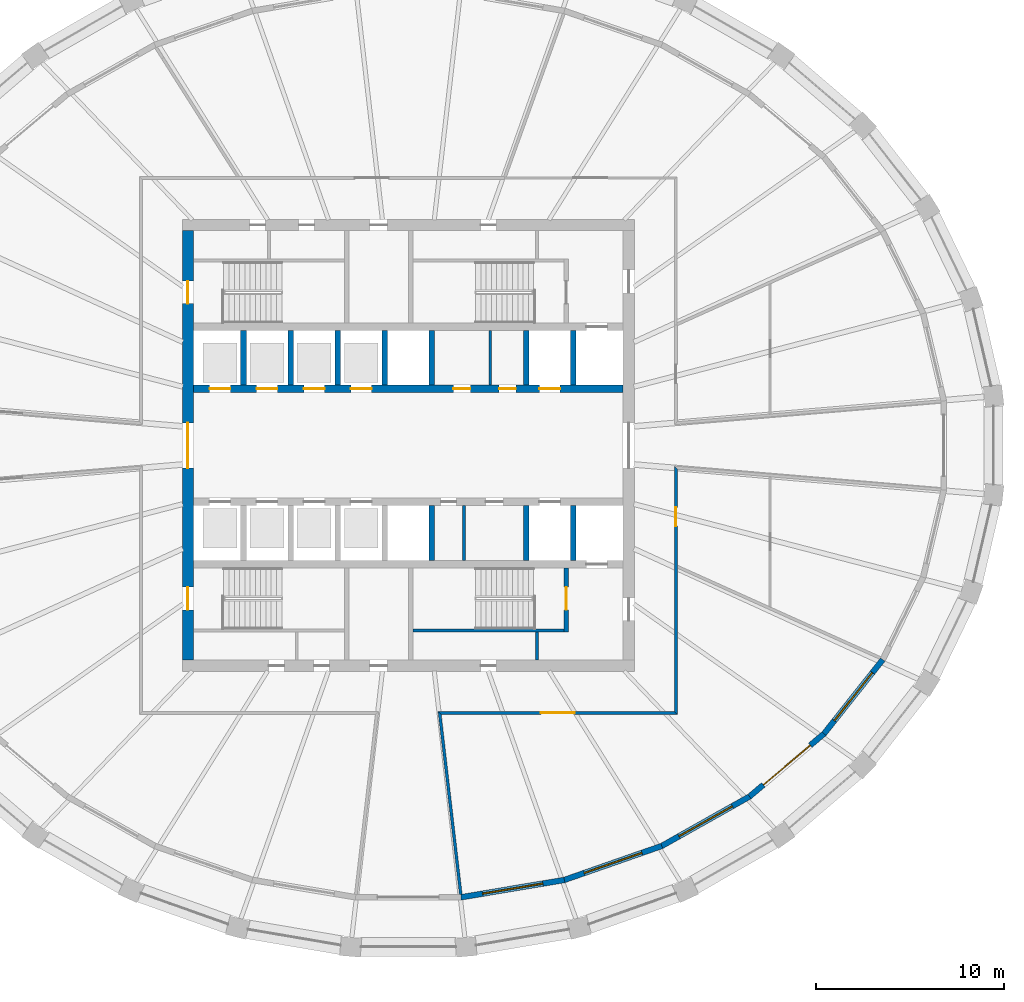
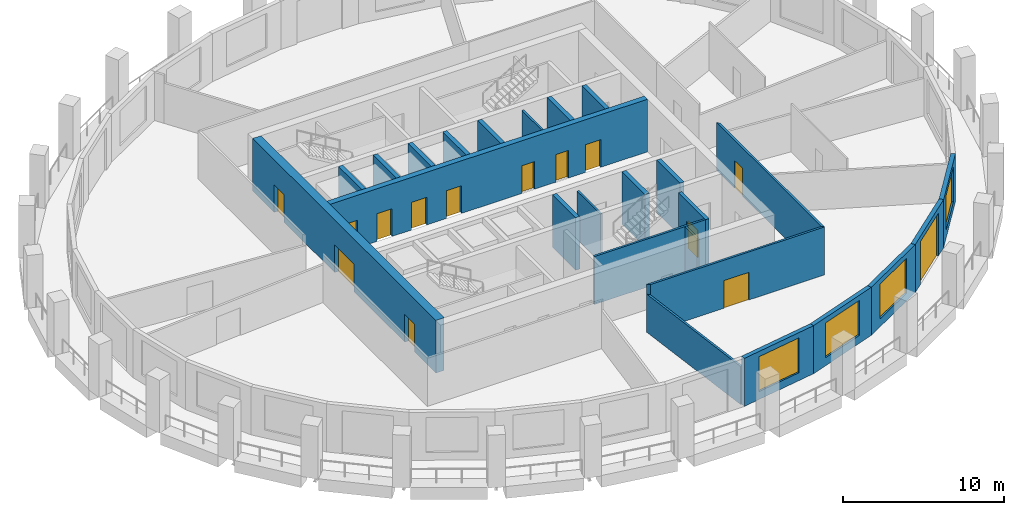
# One storey, part 4 of 10: 25 walls, 14 doors, 4 windows, 18 openings.
"""IFC4 building model written with IfcOpenShell, lengths in metres."""

from ifc_helpers import new_model, si_unit, direction, frame, frame_2d, origin, place, context, subcontext, project, spatial, polyline, rectangle, outline, extrude, material, layer, layer_set, type_object, element, fill, save


model = new_model("IFC4")

# Units and contexts
model_context = context("Model", 3, precision=1e-05, world=origin(), true_north=direction((0.0, 1.0)))
body_context = subcontext(model_context, "Body", "Model", "MODEL_VIEW")
ifc_project = project(units=[si_unit("LENGTHUNIT", "METRE"), si_unit("AREAUNIT", "SQUARE_METRE"), si_unit("VOLUMEUNIT", "CUBIC_METRE"), si_unit("PLANEANGLEUNIT", "RADIAN"), si_unit("MASSUNIT", "GRAM", prefix="KILO")], contexts=[model_context])

# Site, building, storey
site_placement = place(None, origin())
site = spatial("IfcSite", under=ifc_project, at=site_placement, CompositionType="ELEMENT")
building_placement = place(site_placement, origin())
building = spatial("IfcBuilding", under=site, at=building_placement, Name="Halqa Exchange Tower", CompositionType="ELEMENT")
storey_placement = place(building_placement, frame((0.0, 0.0, 246.89990234375)))
storey = spatial("IfcBuildingStorey", under=building, at=storey_placement, Name="L57", CompositionType="ELEMENT", Elevation=246.89990234375)

# Wall
ifc_material_1 = material(Name="Fire-rated gypsum board")
ifc_layer_1 = layer(ifc_material_1, 0.14990234375)
ifc_layer_set_1 = layer_set([ifc_layer_1], Name="Fire-rated gypsum board")
wall_type_1 = type_object("IfcWallType", Name="Fire partition EI 60 150", PredefinedType="PARTITIONING", material=ifc_layer_set_1)
wall_1_placement = place(storey_placement, frame((1.650146484375, -14.1162109375, 0.0), z_axis=(0.0, 0.0, 1.0), x_axis=(0.115927481877, -0.993257680034, 0.0)))
element("IfcWall", 1, at=wall_1_placement, inside=storey, type_object=wall_type_1, Name="L57-PWL-009", PredefinedType="PARTITIONING", context=body_context, shape_type="SweptSolid", body=[
    extrude(outline(polyline([(0.0, -0.074951171875), (1.95556640625, -0.074951171875), (3.9111328125, -0.074951171875), (5.86669921875, -0.074951171875), (7.822021484375, -0.074951171875), (9.777587890625, -0.074951171875), (9.7822265625, -0.035400390625), (9.7822265625, 0.074951171875), (7.859375, 0.074951171875), (5.936767578125, 0.074951171875), (4.013916015625, 0.074951171875), (2.09130859375, 0.074951171875), (0.16845703125, 0.074951171875), (0.08447265625, 0.0), (0.0, -0.074951171875)])), origin(), (0.0, 0.0, 1.0), 2.897216796875),
])

# Wall, opening, door
wall_2_placement = place(storey_placement, frame((14.27490234375, -14.199951171875, 0.0), z_axis=(0.0, 0.0, 1.0), x_axis=(-1.0, 0.0, 0.0)))
wall_2 = element("IfcWall", 2, at=wall_2_placement, inside=storey, type_object=wall_type_1, Name="L57-PWL-012", PredefinedType="PARTITIONING", context=body_context, shape_type="SweptSolid", body=[
    extrude(outline(polyline([(0.14990234375, -0.074951171875), (1.942626953125, -0.074951171875), (3.7353515625, -0.074951171875), (5.528076171875, -0.074951171875), (7.32080078125, -0.074951171875), (9.11376953125, -0.074951171875), (10.906494140625, -0.074951171875), (12.69921875, -0.074951171875), (12.53076171875, 0.074951171875), (10.74072265625, 0.074951171875), (8.950439453125, 0.074951171875), (7.160400390625, 0.074951171875), (5.370361328125, 0.074951171875), (3.580322265625, 0.074951171875), (1.7900390625, 0.074951171875), (0.0, 0.074951171875), (0.14990234375, -0.074951171875)])), origin(), (0.0, 0.0, 1.0), 3.650146484375),
])
opening_1_placement = place(wall_2_placement, frame((5.445068359375, 0.0, 0.0)))
opening_1 = element("IfcOpeningElement", 3, at=opening_1_placement, cuts=wall_2, Name="Opening 17-02", PredefinedType="OPENING", context=body_context, shape_type="SweptSolid", body=[
    extrude(rectangle(XDim=1.800048828125, YDim=2.10009765625, at=frame_2d((0.89990234375, 1.050048828125))), frame((0.0, 0.0869140625, 0.0), z_axis=(0.0, -1.0, 0.0), x_axis=(1.0, 0.0, 0.0)), (0.0, 0.0, 1.0), 0.173828125),
])
ifc_material_2 = material(Name="Steel fire door leaf", Category="steel")
door_type_1 = type_object("IfcDoorType", Name="Fire door FD30S double 1800 x 2100", OperationType="DOUBLE_DOOR_SINGLE_SWING", PredefinedType="DOOR", material=ifc_material_2)
door_1_placement = place(opening_1_placement, origin())
door_1 = element("IfcDoor", 4, at=door_1_placement, inside=storey, type_object=door_type_1, Name="L57-IDR-002", OperationType="DOUBLE_DOOR_SINGLE_SWING", OverallHeight=2.10009765625, OverallWidth=1.800048828125, PredefinedType="DOOR", context=body_context, shape_type="SweptSolid", body=[
    extrude(rectangle(XDim=1.800048828125, YDim=2.10009765625, at=frame_2d((0.89990234375, 1.050048828125))), frame((0.0, 0.02490234375, 0.0), z_axis=(0.0, -1.0, 0.0), x_axis=(1.0, 0.0, 0.0)), (0.0, 0.0, 1.0), 0.050048828125),
])
fill(opening_1, door_1)

wall_3_placement = place(storey_placement, frame((14.199951171875, -14.27490234375, 0.0), z_axis=(0.0, 0.0, 1.0), x_axis=(0.0, 1.0, 0.0)))
wall_3 = element("IfcWall", 5, at=wall_3_placement, inside=storey, type_object=wall_type_1, Name="L57-PWL-013", PredefinedType="PARTITIONING", context=body_context, shape_type="SweptSolid", body=[
    extrude(outline(polyline([(0.0, -0.074951171875), (1.859130859375, -0.074951171875), (3.71826171875, -0.074951171875), (5.5771484375, -0.074951171875), (7.436279296875, -0.074951171875), (9.29541015625, -0.074951171875), (11.154541015625, -0.074951171875), (13.013427734375, -0.074951171875), (13.17626953125, 0.074951171875), (11.3154296875, 0.074951171875), (9.45458984375, 0.074951171875), (7.593505859375, 0.074951171875), (5.732666015625, 0.074951171875), (3.871826171875, 0.074951171875), (2.0107421875, 0.074951171875), (0.14990234375, 0.074951171875), (0.0, -0.074951171875)])), origin(), (0.0, 0.0, 1.0), 3.650146484375),
])
opening_2_placement = place(wall_3_placement, frame((9.985107421875, 0.0, 0.0)))
opening_2 = element("IfcOpeningElement", 6, at=opening_2_placement, cuts=wall_3, Name="Opening 17-03", PredefinedType="OPENING", context=body_context, shape_type="SweptSolid", body=[
    extrude(rectangle(XDim=1.0, YDim=2.10009765625, at=frame_2d((0.5, 1.050048828125))), frame((0.0, 0.0869140625, 0.0), z_axis=(0.0, -1.0, 0.0), x_axis=(1.0, 0.0, 0.0)), (0.0, 0.0, 1.0), 0.173828125),
])
door_type_2 = type_object("IfcDoorType", Name="Fire door FD30S 1000 x 2100", OperationType="SINGLE_SWING_LEFT", PredefinedType="DOOR", material=ifc_material_2)
door_2_placement = place(opening_2_placement, frame((1.0, 0.0, 0.0), z_axis=(0.0, 0.0, 1.0), x_axis=(-1.0, 0.0, 0.0)))
door_2 = element("IfcDoor", 7, at=door_2_placement, inside=storey, type_object=door_type_2, Name="L57-IDR-003", OperationType="SINGLE_SWING_RIGHT", OverallHeight=2.10009765625, OverallWidth=1.0, PredefinedType="DOOR", context=body_context, shape_type="SweptSolid", body=[
    extrude(rectangle(XDim=1.0, YDim=2.10009765625, at=frame_2d((0.5, 1.050048828125))), frame((0.0, 0.02490234375, 0.0), z_axis=(0.0, -1.0, 0.0), x_axis=(1.0, 0.0, 0.0)), (0.0, 0.0, 1.0), 0.050048828125),
])
fill(opening_2, door_2)

# Walls
ifc_material_3 = material(Name="Gypsum board")
ifc_layer_2 = layer(ifc_material_3, 0.14990234375)
ifc_layer_set_2 = layer_set([ifc_layer_2], Name="Gypsum board")
wall_type_2 = type_object("IfcWallType", Name="Penthouse riser wall 150 gypsum", PredefinedType="PARTITIONING", material=ifc_layer_set_2)
wall_4_placement = place(storey_placement, frame((6.824951171875, -11.39990234375, 0.0), z_axis=(0.0, 0.0, 1.0), x_axis=(0.0, 1.0, 0.0)))
element("IfcWall", 8, at=wall_4_placement, inside=storey, type_object=wall_type_2, Name="Firefighting lobby west wall S", PredefinedType="PARTITIONING", context=body_context, shape_type="SweptSolid", body=[
    extrude(rectangle(XDim=1.5, YDim=0.14990234375, at=frame_2d((0.75, 0.0))), origin(), (0.0, 0.0, 1.0), 3.650146484375),
])
for number, where, z_axis, x_axis, name in (
    (9, (4.35009765625, 3.199951171875, 0.0), (0.0, 0.0, 1.0), (0.0, 1.0, 0.0), "Freed bay partition NE4.350"),
    (10, (2.949951171875, -6.10009765625, 0.0), (0.0, 0.0, 1.0), (0.0, 1.0, 0.0), "Freed bay partition SE2.950"),
):
    element("IfcWall", number, at=place(storey_placement, frame(where, z_axis=z_axis, x_axis=x_axis)), inside=storey, type_object=wall_type_2, Name=name, PredefinedType="PARTITIONING", context=body_context, shape_type="SweptSolid", body=[
        extrude(rectangle(XDim=2.900146484375, YDim=0.14990234375, at=frame_2d((1.4501953125, 0.0))), origin(), (0.0, 0.0, 1.0), 3.650146484375),
    ])
ifc_material_4 = material(Name="Concrete C60/75", Category="concrete")
ifc_layer_3 = layer(ifc_material_4, 0.300048828125)
ifc_layer_set_3 = layer_set([ifc_layer_3], Name="Concrete C60/75")
wall_type_3 = type_object("IfcWallType", Name="RC core wall 300", PredefinedType="SHEAR", material=ifc_layer_set_3)
for number, where, z_axis, x_axis, name in (
    (11, (-8.75, 3.199951171875, 0.0), (0.0, 0.0, 1.0), (0.0, 1.0, 0.0), "Shaft divider N1"),
    (12, (-6.25, 3.199951171875, 0.0), (0.0, 0.0, 1.0), (0.0, 1.0, 0.0), "Shaft divider N2"),
    (13, (-3.75, 3.199951171875, 0.0), (0.0, 0.0, 1.0), (0.0, 1.0, 0.0), "Shaft divider N3"),
    (14, (-1.25, 3.199951171875, 0.0), (0.0, 0.0, 1.0), (0.0, 1.0, 0.0), "Shaft divider N4"),
    (15, (1.25, 3.199951171875, 0.0), (0.0, 0.0, 1.0), (0.0, 1.0, 0.0), "Shaft divider N5"),
    (16, (6.25, 3.199951171875, 0.0), (0.0, 0.0, 1.0), (0.0, 1.0, 0.0), "Shaft divider N7"),
    (17, (8.75, 3.199951171875, 0.0), (0.0, 0.0, 1.0), (0.0, 1.0, 0.0), "Shaft divider N8"),
    (18, (1.25, -6.10009765625, 0.0), (0.0, 0.0, 1.0), (0.0, 1.0, 0.0), "Shaft divider S5"),
    (19, (6.25, -6.10009765625, 0.0), (0.0, 0.0, 1.0), (0.0, 1.0, 0.0), "Shaft divider S7"),
    (20, (8.75, -6.10009765625, 0.0), (0.0, 0.0, 1.0), (0.0, 1.0, 0.0), "Shaft divider S8"),
):
    element("IfcWall", number, at=place(storey_placement, frame(where, z_axis=z_axis, x_axis=x_axis)), inside=storey, type_object=wall_type_3, Name=name, PredefinedType="SHEAR", context=body_context, shape_type="SweptSolid", body=[
        extrude(rectangle(XDim=2.900146484375, YDim=0.300048828125, at=frame_2d((1.4501953125, 0.0))), origin(), (0.0, 0.0, 1.0), 4.0),
    ])

# Wall, openings, doors
ifc_material_5 = material(Name="Concrete C70/85", Category="concrete")
ifc_layer_4 = layer(ifc_material_5, 0.39990234375)
ifc_layer_set_4 = layer_set([ifc_layer_4], Name="Concrete C70/85")
wall_type_4 = type_object("IfcWallType", Name="RC core wall 400 C70/85", PredefinedType="SHEAR", material=ifc_layer_set_4)
wall_5_placement = place(storey_placement, frame((-11.39990234375, 3.0, 0.0), z_axis=(0.0, 0.0, 1.0), x_axis=(1.0, 0.0, 0.0)))
wall_5 = element("IfcWall", 21, at=wall_5_placement, inside=storey, type_object=wall_type_4, Name="Lift row front wall N", PredefinedType="SHEAR", context=body_context, shape_type="SweptSolid", body=[
    extrude(rectangle(XDim=22.7998046875, YDim=0.39990234375, at=frame_2d((11.39990234375, 0.0))), origin(), (0.0, 0.0, 1.0), 4.0),
])
opening_3_placement = place(wall_5_placement, frame((0.85009765625, 0.0, 0.0)))
opening_3 = element("IfcOpeningElement", 22, at=opening_3_placement, cuts=wall_5, Name="Opening LD-HR1-T17", PredefinedType="OPENING", context=body_context, shape_type="SweptSolid", body=[
    extrude(rectangle(XDim=1.10009765625, YDim=2.10009765625, at=frame_2d((0.550048828125, 1.050048828125))), frame((0.0, 0.2119140625, 0.0), z_axis=(0.0, -1.0, 0.0), x_axis=(1.0, 0.0, 0.0)), (0.0, 0.0, 1.0), 0.423828125),
])
opening_4_placement = place(wall_5_placement, frame((3.35009765625, 0.0, 0.0)))
opening_4 = element("IfcOpeningElement", 23, at=opening_4_placement, cuts=wall_5, Name="Opening LD-HR2-T17", PredefinedType="OPENING", context=body_context, shape_type="SweptSolid", body=[
    extrude(rectangle(XDim=1.10009765625, YDim=2.10009765625, at=frame_2d((0.550048828125, 1.050048828125))), frame((0.0, 0.2119140625, 0.0), z_axis=(0.0, -1.0, 0.0), x_axis=(1.0, 0.0, 0.0)), (0.0, 0.0, 1.0), 0.423828125),
])
opening_5_placement = place(wall_5_placement, frame((5.85009765625, 0.0, 0.0)))
opening_5 = element("IfcOpeningElement", 24, at=opening_5_placement, cuts=wall_5, Name="Opening LD-MR1-T17", PredefinedType="OPENING", context=body_context, shape_type="SweptSolid", body=[
    extrude(rectangle(XDim=1.10009765625, YDim=2.10009765625, at=frame_2d((0.550048828125, 1.050048828125))), frame((0.0, 0.2119140625, 0.0), z_axis=(0.0, -1.0, 0.0), x_axis=(1.0, 0.0, 0.0)), (0.0, 0.0, 1.0), 0.423828125),
])
opening_6_placement = place(wall_5_placement, frame((8.35009765625, 0.0, 0.0)))
opening_6 = element("IfcOpeningElement", 25, at=opening_6_placement, cuts=wall_5, Name="Opening LD-MR2-T17", PredefinedType="OPENING", context=body_context, shape_type="SweptSolid", body=[
    extrude(rectangle(XDim=1.10009765625, YDim=2.10009765625, at=frame_2d((0.550048828125, 1.050048828125))), frame((0.0, 0.2119140625, 0.0), z_axis=(0.0, -1.0, 0.0), x_axis=(1.0, 0.0, 0.0)), (0.0, 0.0, 1.0), 0.423828125),
])
opening_7_placement = place(wall_5_placement, frame((18.35009765625, 0.0, 0.0)))
opening_7 = element("IfcOpeningElement", 26, at=opening_7_placement, cuts=wall_5, Name="Opening LD-SV1-T17", PredefinedType="OPENING", context=body_context, shape_type="SweptSolid", body=[
    extrude(rectangle(XDim=1.10009765625, YDim=2.10009765625, at=frame_2d((0.550048828125, 1.050048828125))), frame((0.0, 0.2119140625, 0.0), z_axis=(0.0, -1.0, 0.0), x_axis=(1.0, 0.0, 0.0)), (0.0, 0.0, 1.0), 0.423828125),
])
opening_8_placement = place(wall_5_placement, frame((13.78759765625, 0.0, 0.0)))
opening_8 = element("IfcOpeningElement", 27, at=opening_8_placement, cuts=wall_5, Name="Opening T17-C29", PredefinedType="OPENING", context=body_context, shape_type="SweptSolid", body=[
    extrude(rectangle(XDim=0.89990234375, YDim=2.10009765625, at=frame_2d((0.449951171875, 1.050048828125))), frame((0.0, 0.2119140625, 0.0), z_axis=(0.0, -1.0, 0.0), x_axis=(1.0, 0.0, 0.0)), (0.0, 0.0, 1.0), 0.423828125),
])
opening_9_placement = place(wall_5_placement, frame((16.21240234375, 0.0, 0.0)))
opening_9 = element("IfcOpeningElement", 28, at=opening_9_placement, cuts=wall_5, Name="Opening T17-C30", PredefinedType="OPENING", context=body_context, shape_type="SweptSolid", body=[
    extrude(rectangle(XDim=0.89990234375, YDim=2.10009765625, at=frame_2d((0.449951171875, 1.050048828125))), frame((0.0, 0.2119140625, 0.0), z_axis=(0.0, -1.0, 0.0), x_axis=(1.0, 0.0, 0.0)), (0.0, 0.0, 1.0), 0.423828125),
])
ifc_material_6 = material(Name="Timber fire door leaf", Category="wood")
door_type_3 = type_object("IfcDoorType", Name="Core room door FD30 900 x 2100", OperationType="SINGLE_SWING_LEFT", PredefinedType="DOOR", material=ifc_material_6)
door_3_placement = place(opening_8_placement, origin())
door_3 = element("IfcDoor", 29, at=door_3_placement, inside=storey, type_object=door_type_3, Name="Core room door", OperationType="SINGLE_SWING_LEFT", OverallHeight=2.10009765625, OverallWidth=0.89990234375, PredefinedType="DOOR", context=body_context, shape_type="SweptSolid", body=[
    extrude(rectangle(XDim=0.89990234375, YDim=2.10009765625, at=frame_2d((0.449951171875, 1.050048828125))), frame((0.0, 0.02490234375, 0.0), z_axis=(0.0, -1.0, 0.0), x_axis=(1.0, 0.0, 0.0)), (0.0, 0.0, 1.0), 0.050048828125),
])
fill(opening_8, door_3)
door_4_placement = place(opening_9_placement, origin())
door_4 = element("IfcDoor", 30, at=door_4_placement, inside=storey, type_object=door_type_3, Name="Core room door", OperationType="SINGLE_SWING_RIGHT", OverallHeight=2.10009765625, OverallWidth=0.89990234375, PredefinedType="DOOR", context=body_context, shape_type="SweptSolid", body=[
    extrude(rectangle(XDim=0.89990234375, YDim=2.10009765625, at=frame_2d((0.449951171875, 1.050048828125))), frame((0.0, 0.02490234375, 0.0), z_axis=(0.0, -1.0, 0.0), x_axis=(1.0, 0.0, 0.0)), (0.0, 0.0, 1.0), 0.050048828125),
])
fill(opening_9, door_4)
ifc_material_7 = material(Name="Stainless steel", Category="steel")
door_type_4 = type_object("IfcDoorType", Name="Lift landing door 1100 x 2100", OperationType="SLIDING_TO_LEFT", PredefinedType="DOOR", material=ifc_material_7)
door_5_placement = place(opening_3_placement, origin())
door_5 = element("IfcDoor", 31, at=door_5_placement, inside=storey, type_object=door_type_4, Name="Lift landing door HR1", OperationType="SLIDING_TO_LEFT", OverallHeight=2.10009765625, OverallWidth=1.10009765625, PredefinedType="DOOR", context=body_context, shape_type="SweptSolid", body=[
    extrude(rectangle(XDim=1.10009765625, YDim=2.10009765625, at=frame_2d((0.550048828125, 1.050048828125))), frame((0.0, 0.02490234375, 0.0), z_axis=(0.0, -1.0, 0.0), x_axis=(1.0, 0.0, 0.0)), (0.0, 0.0, 1.0), 0.050048828125),
])
fill(opening_3, door_5)
door_6_placement = place(opening_4_placement, origin())
door_6 = element("IfcDoor", 32, at=door_6_placement, inside=storey, type_object=door_type_4, Name="Lift landing door HR2", OperationType="SLIDING_TO_LEFT", OverallHeight=2.10009765625, OverallWidth=1.10009765625, PredefinedType="DOOR", context=body_context, shape_type="SweptSolid", body=[
    extrude(rectangle(XDim=1.10009765625, YDim=2.10009765625, at=frame_2d((0.550048828125, 1.050048828125))), frame((0.0, 0.02490234375, 0.0), z_axis=(0.0, -1.0, 0.0), x_axis=(1.0, 0.0, 0.0)), (0.0, 0.0, 1.0), 0.050048828125),
])
fill(opening_4, door_6)
door_7_placement = place(opening_5_placement, origin())
door_7 = element("IfcDoor", 33, at=door_7_placement, inside=storey, type_object=door_type_4, Name="Lift landing door MR1", OperationType="SLIDING_TO_LEFT", OverallHeight=2.10009765625, OverallWidth=1.10009765625, PredefinedType="DOOR", context=body_context, shape_type="SweptSolid", body=[
    extrude(rectangle(XDim=1.10009765625, YDim=2.10009765625, at=frame_2d((0.550048828125, 1.050048828125))), frame((0.0, 0.02490234375, 0.0), z_axis=(0.0, -1.0, 0.0), x_axis=(1.0, 0.0, 0.0)), (0.0, 0.0, 1.0), 0.050048828125),
])
fill(opening_5, door_7)
door_8_placement = place(opening_6_placement, origin())
door_8 = element("IfcDoor", 34, at=door_8_placement, inside=storey, type_object=door_type_4, Name="Lift landing door MR2", OperationType="SLIDING_TO_LEFT", OverallHeight=2.10009765625, OverallWidth=1.10009765625, PredefinedType="DOOR", context=body_context, shape_type="SweptSolid", body=[
    extrude(rectangle(XDim=1.10009765625, YDim=2.10009765625, at=frame_2d((0.550048828125, 1.050048828125))), frame((0.0, 0.02490234375, 0.0), z_axis=(0.0, -1.0, 0.0), x_axis=(1.0, 0.0, 0.0)), (0.0, 0.0, 1.0), 0.050048828125),
])
fill(opening_6, door_8)
door_9_placement = place(opening_7_placement, origin())
door_9 = element("IfcDoor", 35, at=door_9_placement, inside=storey, type_object=door_type_4, Name="Lift landing door SV1", OperationType="SLIDING_TO_LEFT", OverallHeight=2.10009765625, OverallWidth=1.10009765625, PredefinedType="DOOR", context=body_context, shape_type="SweptSolid", body=[
    extrude(rectangle(XDim=1.10009765625, YDim=2.10009765625, at=frame_2d((0.550048828125, 1.050048828125))), frame((0.0, 0.02490234375, 0.0), z_axis=(0.0, -1.0, 0.0), x_axis=(1.0, 0.0, 0.0)), (0.0, 0.0, 1.0), 0.050048828125),
])
fill(opening_7, door_9)

ifc_layer_5 = layer(ifc_material_5, 0.60009765625)
ifc_layer_set_5 = layer_set([ifc_layer_5], Name="Concrete C70/85")
wall_type_5 = type_object("IfcWallType", Name="RC core wall 600 C70/85", PredefinedType="SHEAR", material=ifc_layer_set_5)
wall_6_placement = place(storey_placement, frame((-11.699951171875, -11.39990234375, 0.0), z_axis=(0.0, 0.0, 1.0), x_axis=(0.0, 1.0, 0.0)))
wall_6 = element("IfcWall", 36, at=wall_6_placement, inside=storey, type_object=wall_type_5, Name="Core wall west", PredefinedType="SHEAR", context=body_context, shape_type="SweptSolid", body=[
    extrude(rectangle(XDim=22.7998046875, YDim=0.60009765625, at=frame_2d((11.39990234375, 0.0))), origin(), (0.0, 0.0, 1.0), 4.0),
])
opening_10_placement = place(wall_6_placement, frame((10.199951171875, 0.0, 0.0)))
opening_10 = element("IfcOpeningElement", 37, at=opening_10_placement, cuts=wall_6, Name="Opening T17-C13", PredefinedType="OPENING", context=body_context, shape_type="SweptSolid", body=[
    extrude(rectangle(XDim=2.39990234375, YDim=2.10009765625, at=frame_2d((1.199951171875, 1.050048828125))), frame((0.0, 0.31201171875, 0.0), z_axis=(0.0, -1.0, 0.0), x_axis=(1.0, 0.0, 0.0)), (0.0, 0.0, 1.0), 0.6240234375),
])
opening_11_placement = place(wall_6_placement, frame((18.925048828125, 0.0, 0.0)))
opening_11 = element("IfcOpeningElement", 38, at=opening_11_placement, cuts=wall_6, Name="Opening T17-C15", PredefinedType="OPENING", context=body_context, shape_type="SweptSolid", body=[
    extrude(rectangle(XDim=1.199951171875, YDim=2.10009765625, at=frame_2d((0.60009765625, 1.050048828125))), frame((0.0, 0.31201171875, 0.0), z_axis=(0.0, -1.0, 0.0), x_axis=(1.0, 0.0, 0.0)), (0.0, 0.0, 1.0), 0.6240234375),
])
opening_12_placement = place(wall_6_placement, frame((2.675048828125, 0.0, 0.0)))
opening_12 = element("IfcOpeningElement", 39, at=opening_12_placement, cuts=wall_6, Name="Opening T17-C17", PredefinedType="OPENING", context=body_context, shape_type="SweptSolid", body=[
    extrude(rectangle(XDim=1.199951171875, YDim=2.10009765625, at=frame_2d((0.60009765625, 1.050048828125))), frame((0.0, 0.31201171875, 0.0), z_axis=(0.0, -1.0, 0.0), x_axis=(1.0, 0.0, 0.0)), (0.0, 0.0, 1.0), 0.6240234375),
])
door_type_5 = type_object("IfcDoorType", Name="Lobby double door FD60 2400 x 2100", OperationType="DOUBLE_DOOR_SINGLE_SWING", PredefinedType="DOOR", material=ifc_material_2)
door_10_placement = place(opening_10_placement, frame((2.39990234375, 0.0, 0.0), z_axis=(0.0, 0.0, 1.0), x_axis=(-1.0, 0.0, 0.0)))
door_10 = element("IfcDoor", 40, at=door_10_placement, inside=storey, type_object=door_type_5, Name="Lift lobby double door", OperationType="DOUBLE_DOOR_SINGLE_SWING", OverallHeight=2.10009765625, OverallWidth=2.39990234375, PredefinedType="DOOR", context=body_context, shape_type="SweptSolid", body=[
    extrude(rectangle(XDim=2.39990234375, YDim=2.10009765625, at=frame_2d((1.199951171875, 1.050048828125))), frame((0.0, 0.02490234375, 0.0), z_axis=(0.0, -1.0, 0.0), x_axis=(1.0, 0.0, 0.0)), (0.0, 0.0, 1.0), 0.050048828125),
])
fill(opening_10, door_10)
door_type_6 = type_object("IfcDoorType", Name="Stair door FD90 1200 x 2100", OperationType="SINGLE_SWING_LEFT", PredefinedType="DOOR", material=ifc_material_2)
door_11_placement = place(opening_11_placement, frame((1.199951171875, 0.0, 0.0), z_axis=(0.0, 0.0, 1.0), x_axis=(-1.0, 0.0, 0.0)))
door_11 = element("IfcDoor", 41, at=door_11_placement, inside=storey, type_object=door_type_6, Name="Stair door ST1", OperationType="SINGLE_SWING_RIGHT", OverallHeight=2.10009765625, OverallWidth=1.199951171875, PredefinedType="DOOR", context=body_context, shape_type="SweptSolid", body=[
    extrude(rectangle(XDim=1.199951171875, YDim=2.10009765625, at=frame_2d((0.60009765625, 1.050048828125))), frame((0.0, 0.02490234375, 0.0), z_axis=(0.0, -1.0, 0.0), x_axis=(1.0, 0.0, 0.0)), (0.0, 0.0, 1.0), 0.050048828125),
])
fill(opening_11, door_11)
door_12_placement = place(opening_12_placement, frame((1.199951171875, 0.0, 0.0), z_axis=(0.0, 0.0, 1.0), x_axis=(-1.0, 0.0, 0.0)))
door_12 = element("IfcDoor", 42, at=door_12_placement, inside=storey, type_object=door_type_6, Name="Stair door ST3", OperationType="SINGLE_SWING_RIGHT", OverallHeight=2.10009765625, OverallWidth=1.199951171875, PredefinedType="DOOR", context=body_context, shape_type="SweptSolid", body=[
    extrude(rectangle(XDim=1.199951171875, YDim=2.10009765625, at=frame_2d((0.60009765625, 1.050048828125))), frame((0.0, 0.02490234375, 0.0), z_axis=(0.0, -1.0, 0.0), x_axis=(1.0, 0.0, 0.0)), (0.0, 0.0, 1.0), 0.050048828125),
])
fill(opening_12, door_12)

# Wall
ifc_material_8 = material(Name="Concrete C30/37", Category="concrete")
ifc_layer_6 = layer(ifc_material_8, 0.14990234375)
ifc_layer_set_6 = layer_set([ifc_layer_6], Name="Concrete C30/37")
wall_type_6 = type_object("IfcWallType", Name="RC stair wall 150 C30/37", PredefinedType="SHEAR", material=ifc_layer_set_6)
wall_7_placement = place(storey_placement, frame((0.25, -9.824951171875, 0.0), z_axis=(0.0, 0.0, 1.0), x_axis=(1.0, 0.0, 0.0)))
element("IfcWall", 43, at=wall_7_placement, inside=storey, type_object=wall_type_6, Name="Stair ST2 north wall S", PredefinedType="SHEAR", context=body_context, shape_type="SweptSolid", body=[
    extrude(rectangle(XDim=8.0, YDim=0.14990234375, at=frame_2d((4.0, 0.0))), origin(), (0.0, 0.0, 1.0), 3.650146484375),
])

# Wall, opening, door
ifc_layer_7 = layer(ifc_material_8, 0.25)
ifc_layer_set_7 = layer_set([ifc_layer_7], Name="Concrete C30/37")
wall_type_7 = type_object("IfcWallType", Name="RC stair wall 250 C30/37", PredefinedType="SHEAR", material=ifc_layer_set_7)
wall_8_placement = place(storey_placement, frame((8.375, -9.89990234375, 0.0), z_axis=(0.0, 0.0, 1.0), x_axis=(0.0, 1.0, 0.0)))
wall_8 = element("IfcWall", 44, at=wall_8_placement, inside=storey, type_object=wall_type_7, Name="Stair ST2 east wall S", PredefinedType="SHEAR", context=body_context, shape_type="SweptSolid", body=[
    extrude(rectangle(XDim=3.39990234375, YDim=0.25, at=frame_2d((1.699951171875, 0.0))), origin(), (0.0, 0.0, 1.0), 3.650146484375),
])
opening_13_placement = place(wall_8_placement, frame((1.175048828125, 0.0, 0.0)))
opening_13 = element("IfcOpeningElement", 45, at=opening_13_placement, cuts=wall_8, Name="Opening T17-C18", PredefinedType="OPENING", context=body_context, shape_type="SweptSolid", body=[
    extrude(rectangle(XDim=1.199951171875, YDim=2.10009765625, at=frame_2d((0.60009765625, 1.050048828125))), frame((0.0, 0.136962890625, 0.0), z_axis=(0.0, -1.0, 0.0), x_axis=(1.0, 0.0, 0.0)), (0.0, 0.0, 1.0), 0.27392578125),
])
door_13_placement = place(opening_13_placement, origin())
door_13 = element("IfcDoor", 46, at=door_13_placement, inside=storey, type_object=door_type_6, Name="Stair door ST4", OperationType="SINGLE_SWING_RIGHT", OverallHeight=2.10009765625, OverallWidth=1.199951171875, PredefinedType="DOOR", context=body_context, shape_type="SweptSolid", body=[
    extrude(rectangle(XDim=1.199951171875, YDim=2.10009765625, at=frame_2d((0.60009765625, 1.050048828125))), frame((0.0, 0.02490234375, 0.0), z_axis=(0.0, -1.0, 0.0), x_axis=(1.0, 0.0, 0.0)), (0.0, 0.0, 1.0), 0.050048828125),
])
fill(opening_13, door_13)

# Wall, opening, window
ifc_material_9 = material(Name="Limestone cladding", Category="masonry")
ifc_layer_8 = layer(ifc_material_9, 0.0400390625)
ifc_material_10 = material(Name="Ventilated cavity")
ifc_layer_9 = layer(ifc_material_10, 0.030029296875, ventilated=True)
ifc_material_11 = material(Name="Mineral wool insulation")
ifc_layer_10 = layer(ifc_material_11, 0.10009765625)
ifc_layer_11 = layer(ifc_material_8, 0.10009765625)
ifc_material_12 = material(Name="Internal plaster")
ifc_layer_12 = layer(ifc_material_12, 0.030029296875)
ifc_layer_set_8 = layer_set([ifc_layer_8, ifc_layer_9, ifc_layer_10, ifc_layer_11, ifc_layer_12], Name="Stone-faced insulated wall 300")
wall_type_8 = type_object("IfcWallType", Name="Stone-faced insulated wall 300", PredefinedType="STANDARD", material=ifc_layer_set_8)
wall_9_placement = place(storey_placement, frame((2.797119140625, -23.986572265625, 0.0), z_axis=(0.0, 0.0, 1.0), x_axis=(0.98622977737, 0.16538085206, 0.0)))
wall_9 = element("IfcWall", 47, at=wall_9_placement, inside=storey, type_object=wall_type_8, Name="Glass-line wall 25", PredefinedType="STANDARD", context=body_context, shape_type="SweptSolid", body=[
    extrude(outline(polyline([(-0.012451171875, -0.14990234375), (5.57666015625, -0.14990234375), (5.55126953125, 0.14990234375), (0.012451171875, 0.14990234375), (-0.012451171875, -0.14990234375)])), origin(), (0.0, 0.0, 1.0), 3.650146484375),
])
opening_14_placement = place(wall_9_placement, frame((1.156982421875, 0.0, 0.60009765625)))
opening_14 = element("IfcOpeningElement", 48, at=opening_14_placement, cuts=wall_9, Name="Opening W-F3-25", PredefinedType="OPENING", context=body_context, shape_type="SweptSolid", body=[
    extrude(rectangle(XDim=3.25, YDim=2.64990234375, at=frame_2d((1.625, 1.324951171875))), frame((0.0, 0.162109375, 0.0), z_axis=(0.0, -1.0, 0.0), x_axis=(1.0, 0.0, 0.0)), (0.0, 0.0, 1.0), 0.323974609375),
])
ifc_material_13 = material(Name="Clear low-emissivity glass in aluminium frame", Category="aluminium")
window_type = type_object("IfcWindowType", Name="Fixed clear glazed window 3250 x 2650", PartitioningType="TRIPLE_PANEL_VERTICAL", PredefinedType="WINDOW", material=ifc_material_13)
window_1_placement = place(opening_14_placement, origin())
window_1 = element("IfcWindow", 49, at=window_1_placement, inside=storey, type_object=window_type, Name="Window 3", OverallHeight=2.64990234375, OverallWidth=3.25, PartitioningType="TRIPLE_PANEL_VERTICAL", PredefinedType="WINDOW", context=body_context, shape_type="SweptSolid", body=[
    extrude(rectangle(XDim=3.25, YDim=2.64990234375, at=frame_2d((1.625, 1.324951171875))), frame((0.0, 0.030029296875, 0.0), z_axis=(0.0, -1.0, 0.0), x_axis=(1.0, 0.0, 0.0)), (0.0, 0.0, 1.0), 0.06005859375),
])
fill(opening_14, window_1)

wall_10_placement = place(storey_placement, frame((8.284423828125, -23.06640625, 0.0), z_axis=(0.0, 0.0, 1.0), x_axis=(0.944093730832, 0.329677156326, 0.0)))
wall_10 = element("IfcWall", 50, at=wall_10_placement, inside=storey, type_object=wall_type_8, Name="Glass-line wall 26", PredefinedType="STANDARD", context=body_context, shape_type="SweptSolid", body=[
    extrude(outline(polyline([(-0.0126953125, -0.14990234375), (5.48974609375, -0.14990234375), (5.462890625, 0.14990234375), (0.0126953125, 0.14990234375), (-0.0126953125, -0.14990234375)])), origin(), (0.0, 0.0, 1.0), 3.650146484375),
])
opening_15_placement = place(wall_10_placement, frame((1.113037109375, 0.0, 0.60009765625)))
opening_15 = element("IfcOpeningElement", 51, at=opening_15_placement, cuts=wall_10, Name="Opening W-F3-26", PredefinedType="OPENING", context=body_context, shape_type="SweptSolid", body=[
    extrude(rectangle(XDim=3.25, YDim=2.64990234375, at=frame_2d((1.625, 1.324951171875))), frame((0.0, 0.162109375, 0.0), z_axis=(0.0, -1.0, 0.0), x_axis=(1.0, 0.0, 0.0)), (0.0, 0.0, 1.0), 0.323974609375),
])
window_2_placement = place(opening_15_placement, origin())
window_2 = element("IfcWindow", 52, at=window_2_placement, inside=storey, type_object=window_type, Name="Window 3", OverallHeight=2.64990234375, OverallWidth=3.25, PartitioningType="TRIPLE_PANEL_VERTICAL", PredefinedType="WINDOW", context=body_context, shape_type="SweptSolid", body=[
    extrude(rectangle(XDim=3.25, YDim=2.64990234375, at=frame_2d((1.625, 1.324951171875))), frame((0.0, 0.030029296875, 0.0), z_axis=(0.0, -1.0, 0.0), x_axis=(1.0, 0.0, 0.0)), (0.0, 0.0, 1.0), 0.06005859375),
])
fill(opening_15, window_2)

wall_11_placement = place(storey_placement, frame((13.45458984375, -21.260986328125, 0.0), z_axis=(0.0, 0.0, 1.0), x_axis=(0.871275151053, 0.490794876865, 0.0)))
wall_11 = element("IfcWall", 53, at=wall_11_placement, inside=storey, type_object=wall_type_8, Name="Glass-line wall 27", PredefinedType="STANDARD", context=body_context, shape_type="SweptSolid", body=[
    extrude(outline(polyline([(-0.013427734375, -0.14990234375), (5.356689453125, -0.14990234375), (5.328369140625, 0.14990234375), (0.013427734375, 0.14990234375), (-0.013427734375, -0.14990234375)])), origin(), (0.0, 0.0, 1.0), 3.650146484375),
])
opening_16_placement = place(wall_11_placement, frame((1.046142578125, 0.0, 0.60009765625)))
opening_16 = element("IfcOpeningElement", 54, at=opening_16_placement, cuts=wall_11, Name="Opening W-F3-27", PredefinedType="OPENING", context=body_context, shape_type="SweptSolid", body=[
    extrude(rectangle(XDim=3.25, YDim=2.64990234375, at=frame_2d((1.625, 1.324951171875))), frame((0.0, 0.162109375, 0.0), z_axis=(0.0, -1.0, 0.0), x_axis=(1.0, 0.0, 0.0)), (0.0, 0.0, 1.0), 0.323974609375),
])
window_3_placement = place(opening_16_placement, origin())
window_3 = element("IfcWindow", 55, at=window_3_placement, inside=storey, type_object=window_type, Name="Window 3", OverallHeight=2.64990234375, OverallWidth=3.25, PartitioningType="TRIPLE_PANEL_VERTICAL", PredefinedType="WINDOW", context=body_context, shape_type="SweptSolid", body=[
    extrude(rectangle(XDim=3.25, YDim=2.64990234375, at=frame_2d((1.625, 1.324951171875))), frame((0.0, 0.030029296875, 0.0), z_axis=(0.0, -1.0, 0.0), x_axis=(1.0, 0.0, 0.0)), (0.0, 0.0, 1.0), 0.06005859375),
])
fill(opening_16, window_3)

# Wall, opening, door
wall_12_placement = place(storey_placement, frame((18.109375, -18.638916015625, 0.0), z_axis=(0.0, 0.0, 1.0), x_axis=(0.764530975429, 0.644586989948, 0.0)))
wall_12 = element("IfcWall", 56, at=wall_12_placement, inside=storey, type_object=wall_type_8, Name="Glass-line wall 28", PredefinedType="STANDARD", context=body_context, shape_type="SweptSolid", body=[
    extrude(outline(polyline([(-0.01416015625, -0.14990234375), (5.1953125, -0.14990234375), (5.1650390625, 0.14990234375), (0.01416015625, 0.14990234375), (-0.01416015625, -0.14990234375)])), origin(), (0.0, 0.0, 1.0), 3.650146484375),
])
opening_17_placement = place(wall_12_placement, frame((0.965087890625, 0.0, 0.0)))
opening_17 = element("IfcOpeningElement", 57, at=opening_17_placement, cuts=wall_12, Name="Opening LG-F3-07", PredefinedType="OPENING", context=body_context, shape_type="SweptSolid", body=[
    extrude(rectangle(XDim=3.25, YDim=3.25, at=frame_2d((1.625, 1.625))), frame((0.0, 0.162109375, 0.0), z_axis=(0.0, -1.0, 0.0), x_axis=(1.0, 0.0, 0.0)), (0.0, 0.0, 1.0), 0.323974609375),
])
door_type_7 = type_object("IfcDoorType", Name="Glazed sliding loggia door 3250 x 3250", OperationType="DOUBLE_DOOR_SLIDING", PredefinedType="DOOR", material=ifc_material_13)
door_14_placement = place(opening_17_placement, origin())
door_14 = element("IfcDoor", 58, at=door_14_placement, inside=storey, type_object=door_type_7, Name="Loggia door 7", OperationType="DOUBLE_DOOR_SLIDING", OverallHeight=3.25, OverallWidth=3.25, PredefinedType="DOOR", context=body_context, shape_type="SweptSolid", body=[
    extrude(rectangle(XDim=3.25, YDim=3.25, at=frame_2d((1.625, 1.625))), frame((0.0, 0.02490234375, 0.0), z_axis=(0.0, -1.0, 0.0), x_axis=(1.0, 0.0, 0.0)), (0.0, 0.0, 1.0), 0.050048828125),
])
fill(opening_17, door_14)

# Wall, opening, window
wall_13_placement = place(storey_placement, frame((22.06982421875, -15.2998046875, 0.0), z_axis=(0.0, 0.0, 1.0), x_axis=(0.621130746167, 0.783706958094, 0.0)))
wall_13 = element("IfcWall", 59, at=wall_13_placement, inside=storey, type_object=wall_type_8, Name="Glass-line wall 29", PredefinedType="STANDARD", context=body_context, shape_type="SweptSolid", body=[
    extrude(outline(polyline([(-0.01513671875, -0.14990234375), (5.02880859375, -0.14990234375), (4.99658203125, 0.14990234375), (0.01513671875, 0.14990234375), (-0.01513671875, -0.14990234375)])), origin(), (0.0, 0.0, 1.0), 3.650146484375),
])
opening_18_placement = place(wall_13_placement, frame((0.88134765625, 0.0, 0.60009765625)))
opening_18 = element("IfcOpeningElement", 60, at=opening_18_placement, cuts=wall_13, Name="Opening W-F3-29", PredefinedType="OPENING", context=body_context, shape_type="SweptSolid", body=[
    extrude(rectangle(XDim=3.25, YDim=2.64990234375, at=frame_2d((1.625, 1.324951171875))), frame((0.0, 0.162109375, 0.0), z_axis=(0.0, -1.0, 0.0), x_axis=(1.0, 0.0, 0.0)), (0.0, 0.0, 1.0), 0.323974609375),
])
window_4_placement = place(opening_18_placement, origin())
window_4 = element("IfcWindow", 61, at=window_4_placement, inside=storey, type_object=window_type, Name="Window 3", OverallHeight=2.64990234375, OverallWidth=3.25, PartitioningType="TRIPLE_PANEL_VERTICAL", PredefinedType="WINDOW", context=body_context, shape_type="SweptSolid", body=[
    extrude(rectangle(XDim=3.25, YDim=2.64990234375, at=frame_2d((1.625, 1.324951171875))), frame((0.0, 0.030029296875, 0.0), z_axis=(0.0, -1.0, 0.0), x_axis=(1.0, 0.0, 0.0)), (0.0, 0.0, 1.0), 0.06005859375),
])
fill(opening_18, window_4)

save(model, "model.ifc")
